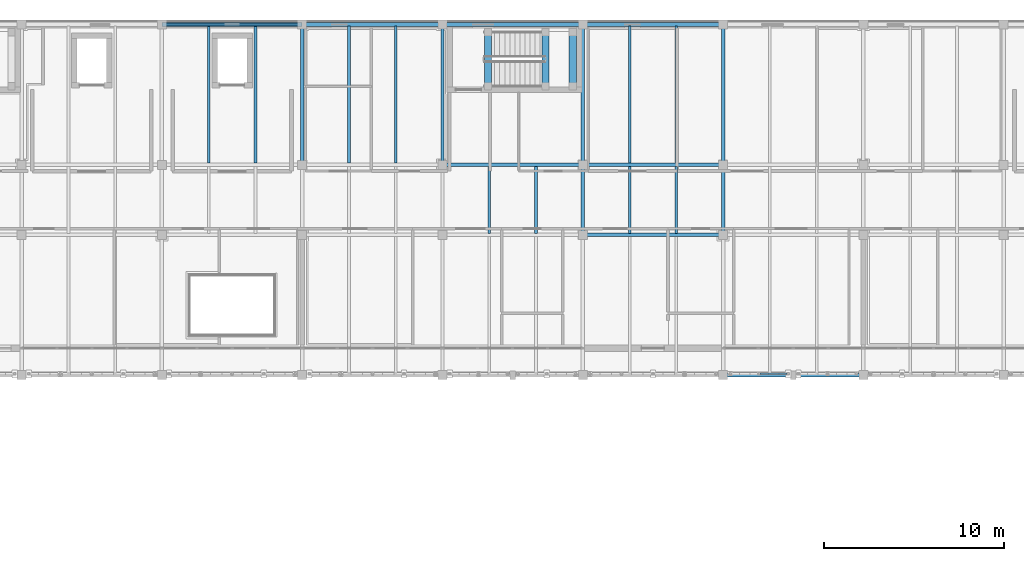
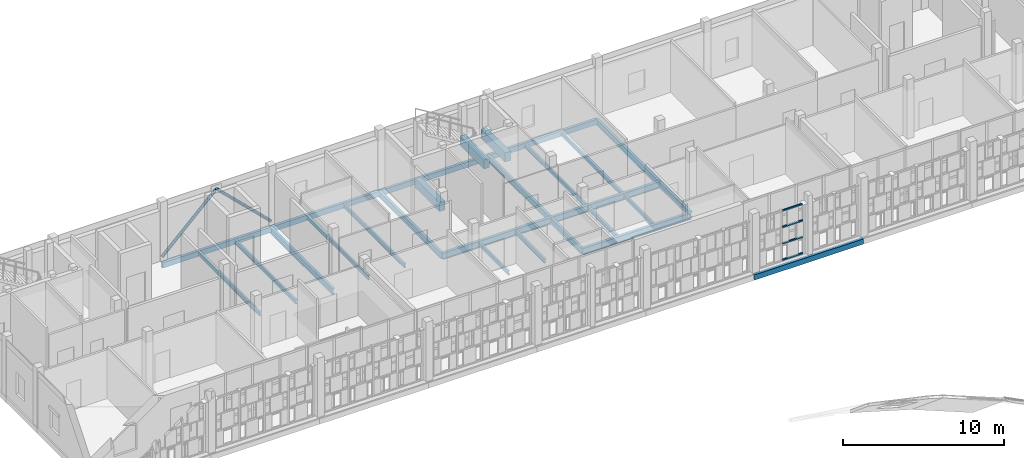
# One storey, part 38 of 89: 27 beams, 6 members.
"""IFC4 building model written with IfcOpenShell, lengths in metres."""

from ifc_helpers import new_model, si_unit, direction, frame, origin, origin_2d, place, context, subcontext, project, spatial, rectangle, hollow_rectangle, hollow_circle, i_section, extrude, material, material_profile, profile_set, type_object, element, save


model = new_model("IFC4")

# Units and contexts
model_context = context("Model", 3, precision=1e-05, world=origin(), true_north=direction((0.0, 1.0)))
body_context = subcontext(model_context, "Body", "Model", "MODEL_VIEW")
ifc_project = project(units=[si_unit("LENGTHUNIT", "METRE"), si_unit("AREAUNIT", "SQUARE_METRE"), si_unit("VOLUMEUNIT", "CUBIC_METRE"), si_unit("PLANEANGLEUNIT", "RADIAN"), si_unit("MASSUNIT", "GRAM", prefix="KILO")], contexts=[model_context])

# Site, building, storey
site_placement = place(None, origin())
site = spatial("IfcSite", under=ifc_project, at=site_placement, CompositionType="ELEMENT")
building_placement = place(site_placement, origin())
building = spatial("IfcBuilding", under=site, at=building_placement, Name="Celorna Specialist Clinic", CompositionType="ELEMENT")
storey_placement = place(building_placement, frame((0.0, 0.0, 14.10009765625)))
storey = spatial("IfcBuildingStorey", under=building, at=storey_placement, Name="L03", CompositionType="ELEMENT", Elevation=14.10009765625)

# Beams
ifc_material_1 = material(Name="Steel S355", Category="steel")
ifc_material_profile_1 = material_profile(ifc_material_1, i_section(OverallWidth=0.199951171875, OverallDepth=0.5, WebThickness=0.01025390625, FlangeThickness=0.01611328125, at=origin_2d()), Name="IPE 500")
ifc_profile_set_1 = profile_set([ifc_material_profile_1], Name="Steel S355")
beam_type_1 = type_object("IfcBeamType", Name="BM-08", PredefinedType="BEAM", material=ifc_profile_set_1)
for number, where, z_axis, x_axis, name in (
    (1, (85.800048828125, 104.300048828125, -0.510009765625), (1.0, 0.0, 0.0), (0.0, 1.0, 0.0), "Primary girder BM-08 #1217"),
    (2, (78.0, 108.199951171875, -0.510009765625), (1.0, 0.0, 0.0), (0.0, 1.0, 0.0), "Primary girder BM-08 #1227"),
    (3, (85.800048828125, 108.199951171875, -0.510009765625), (1.0, 0.0, 0.0), (0.0, 1.0, 0.0), "Primary girder BM-08 #1228"),
):
    element("IfcBeam", number, at=place(storey_placement, frame(where, z_axis=z_axis, x_axis=x_axis)), inside=storey, type_object=beam_type_1, Name=name, PredefinedType="BEAM", context=body_context, shape_type="SweptSolid", body=[
        extrude(i_section(OverallWidth=0.199951171875, OverallDepth=0.5, WebThickness=0.01025390625, FlangeThickness=0.01611328125, at=origin_2d()), origin(), (0.0, 0.0, 1.0), 7.800048828125),
    ])
ifc_material_profile_2 = material_profile(ifc_material_1, i_section(OverallWidth=0.18994140625, OverallDepth=0.449951171875, WebThickness=0.009521484375, FlangeThickness=0.0146484375, at=origin_2d()), Name="IPE 450")
ifc_profile_set_2 = profile_set([ifc_material_profile_2], Name="Steel S355")
beam_type_2 = type_object("IfcBeamType", Name="BM-09", PredefinedType="BEAM", material=ifc_profile_set_2)
for number, where, z_axis, x_axis, name in (
    (4, (70.199951171875, 108.199951171875, -0.485107421875), (0.0, 1.0, 0.0), (-1.0, 0.0, 0.0), "Transverse girder BM-09 #1256"),
    (5, (78.0, 108.199951171875, -0.485107421875), (0.0, 1.0, 0.0), (-1.0, 0.0, 0.0), "Transverse girder BM-09 #1259"),
):
    element("IfcBeam", number, at=place(storey_placement, frame(where, z_axis=z_axis, x_axis=x_axis)), inside=storey, type_object=beam_type_2, Name=name, PredefinedType="BEAM", context=body_context, shape_type="SweptSolid", body=[
        extrude(i_section(OverallWidth=0.18994140625, OverallDepth=0.449951171875, WebThickness=0.009521484375, FlangeThickness=0.0146484375, at=origin_2d()), origin(), (0.0, 0.0, 1.0), 7.800048828125),
    ])
beam_1_placement = place(storey_placement, frame((85.800048828125, 104.300048828125, -0.485107421875), z_axis=(0.0, 1.0, 0.0), x_axis=(-1.0, 0.0, 0.0)))
element("IfcBeam", 6, at=beam_1_placement, inside=storey, type_object=beam_type_2, Name="Transverse girder BM-09 #1261", PredefinedType="BEAM", context=body_context, shape_type="SweptSolid", body=[
    extrude(i_section(OverallWidth=0.18994140625, OverallDepth=0.449951171875, WebThickness=0.009521484375, FlangeThickness=0.0146484375, at=origin_2d()), origin(), (0.0, 0.0, 1.0), 3.89990234375),
])
beam_2_placement = place(storey_placement, frame((85.800048828125, 108.199951171875, -0.485107421875), z_axis=(0.0, 1.0, 0.0), x_axis=(-1.0, 0.0, 0.0)))
element("IfcBeam", 7, at=beam_2_placement, inside=storey, type_object=beam_type_2, Name="Transverse girder BM-09 #1262", PredefinedType="BEAM", context=body_context, shape_type="SweptSolid", body=[
    extrude(i_section(OverallWidth=0.18994140625, OverallDepth=0.449951171875, WebThickness=0.009521484375, FlangeThickness=0.0146484375, at=origin_2d()), origin(), (0.0, 0.0, 1.0), 7.800048828125),
])
beam_3_placement = place(storey_placement, frame((93.60009765625, 104.300048828125, -0.485107421875), z_axis=(0.0, 1.0, 0.0), x_axis=(-1.0, 0.0, 0.0)))
element("IfcBeam", 8, at=beam_3_placement, inside=storey, type_object=beam_type_2, Name="Transverse girder BM-09 #1264", PredefinedType="BEAM", context=body_context, shape_type="SweptSolid", body=[
    extrude(i_section(OverallWidth=0.18994140625, OverallDepth=0.449951171875, WebThickness=0.009521484375, FlangeThickness=0.0146484375, at=origin_2d()), origin(), (0.0, 0.0, 1.0), 3.89990234375),
])
beam_4_placement = place(storey_placement, frame((93.60009765625, 108.199951171875, -0.485107421875), z_axis=(0.0, 1.0, 0.0), x_axis=(-1.0, 0.0, 0.0)))
element("IfcBeam", 9, at=beam_4_placement, inside=storey, type_object=beam_type_2, Name="Transverse girder BM-09 #1265", PredefinedType="BEAM", context=body_context, shape_type="SweptSolid", body=[
    extrude(i_section(OverallWidth=0.18994140625, OverallDepth=0.449951171875, WebThickness=0.009521484375, FlangeThickness=0.0146484375, at=origin_2d()), origin(), (0.0, 0.0, 1.0), 7.800048828125),
])
ifc_material_profile_3 = material_profile(ifc_material_1, i_section(OverallWidth=0.14990234375, OverallDepth=0.300048828125, WebThickness=0.007080078125, FlangeThickness=0.0107421875, at=origin_2d()), Name="IPE 300")
ifc_profile_set_3 = profile_set([ifc_material_profile_3], Name="Steel S355")
beam_type_3 = type_object("IfcBeamType", Name="BM-13", PredefinedType="JOIST", material=ifc_profile_set_3)
for number, where, z_axis, x_axis, name in (
    (10, (65.0, 108.2880859375, -0.41015625), (0.0, 1.0, 0.0), (-1.0, 0.0, 0.0), "Secondary floor joist BM-13 #1293"),
    (11, (67.60009765625, 108.2880859375, -0.41015625), (0.0, 1.0, 0.0), (-1.0, 0.0, 0.0), "Secondary floor joist BM-13 #1294"),
    (12, (72.800048828125, 108.2880859375, -0.41015625), (0.0, 1.0, 0.0), (-1.0, 0.0, 0.0), "Secondary floor joist BM-13 #1299"),
    (13, (75.39990234375, 108.2880859375, -0.41015625), (0.0, 1.0, 0.0), (-1.0, 0.0, 0.0), "Secondary floor joist BM-13 #1300"),
):
    element("IfcBeam", number, at=place(storey_placement, frame(where, z_axis=z_axis, x_axis=x_axis)), inside=storey, type_object=beam_type_3, Name=name, PredefinedType="JOIST", context=body_context, shape_type="SweptSolid", body=[
        extrude(i_section(OverallWidth=0.14990234375, OverallDepth=0.300048828125, WebThickness=0.007080078125, FlangeThickness=0.0107421875, at=origin_2d()), origin(), (0.0, 0.0, 1.0), 7.6240234375),
    ])
for number, where, z_axis, x_axis, name in (
    (14, (80.60009765625, 104.387939453125, -0.41015625), (0.0, 1.0, 0.0), (-1.0, 0.0, 0.0), "Secondary floor joist BM-13 #1303"),
    (15, (83.199951171875, 104.387939453125, -0.41015625), (0.0, 1.0, 0.0), (-1.0, 0.0, 0.0), "Secondary floor joist BM-13 #1304"),
    (16, (88.39990234375, 104.387939453125, -0.41015625), (0.0, 1.0, 0.0), (-1.0, 0.0, 0.0), "Secondary floor joist BM-13 #1307"),
    (17, (91.0, 104.387939453125, -0.41015625), (0.0, 1.0, 0.0), (-1.0, 0.0, 0.0), "Secondary floor joist BM-13 #1308"),
):
    element("IfcBeam", number, at=place(storey_placement, frame(where, z_axis=z_axis, x_axis=x_axis)), inside=storey, type_object=beam_type_3, Name=name, PredefinedType="JOIST", context=body_context, shape_type="SweptSolid", body=[
        extrude(i_section(OverallWidth=0.14990234375, OverallDepth=0.300048828125, WebThickness=0.007080078125, FlangeThickness=0.0107421875, at=origin_2d()), origin(), (0.0, 0.0, 1.0), 3.72412109375),
    ])
for number, where, z_axis, x_axis, name in (
    (18, (88.39990234375, 108.2880859375, -0.41015625), (0.0, 1.0, 0.0), (-1.0, 0.0, 0.0), "Secondary floor joist BM-13 #1309"),
    (19, (91.0, 108.2880859375, -0.41015625), (0.0, 1.0, 0.0), (-1.0, 0.0, 0.0), "Secondary floor joist BM-13 #1310"),
):
    element("IfcBeam", number, at=place(storey_placement, frame(where, z_axis=z_axis, x_axis=x_axis)), inside=storey, type_object=beam_type_3, Name=name, PredefinedType="JOIST", context=body_context, shape_type="SweptSolid", body=[
        extrude(i_section(OverallWidth=0.14990234375, OverallDepth=0.300048828125, WebThickness=0.007080078125, FlangeThickness=0.0107421875, at=origin_2d()), origin(), (0.0, 0.0, 1.0), 7.6240234375),
    ])
ifc_material_profile_4 = material_profile(ifc_material_1, hollow_rectangle(XDim=0.199951171875, YDim=0.39990234375, WallThickness=0.011962890625, at=origin_2d()), Name="RHS 200x400x12")
ifc_profile_set_4 = profile_set([ifc_material_profile_4], Name="Steel S355")
beam_type_4 = type_object("IfcBeamType", Name="BM-15", PredefinedType="SPANDREL", material=ifc_profile_set_4)
beam_5_placement = place(storey_placement, frame((93.60009765625, 96.5, -0.460205078125), z_axis=(1.0, 0.0, 0.0), x_axis=(0.0, 1.0, 0.0)))
element("IfcBeam", 20, at=beam_5_placement, inside=storey, type_object=beam_type_4, Name="Spandrel beam BM-15 #1207", PredefinedType="SPANDREL", context=body_context, shape_type="SweptSolid", body=[
    extrude(hollow_rectangle(XDim=0.199951171875, YDim=0.39990234375, WallThickness=0.011962890625, at=origin_2d()), origin(), (0.0, 0.0, 1.0), 7.7998046875),
])
for number, where, z_axis, x_axis, name in (
    (21, (62.39990234375, 116.0, -0.460205078125), (1.0, 0.0, 0.0), (0.0, 1.0, 0.0), "Spandrel beam BM-15 #1236"),
    (22, (70.199951171875, 116.0, -0.460205078125), (1.0, 0.0, 0.0), (0.0, 1.0, 0.0), "Spandrel beam BM-15 #1237"),
    (23, (78.0, 116.0, -0.460205078125), (1.0, 0.0, 0.0), (0.0, 1.0, 0.0), "Spandrel beam BM-15 #1238"),
    (24, (85.800048828125, 116.0, -0.460205078125), (1.0, 0.0, 0.0), (0.0, 1.0, 0.0), "Spandrel beam BM-15 #1239"),
):
    element("IfcBeam", number, at=place(storey_placement, frame(where, z_axis=z_axis, x_axis=x_axis)), inside=storey, type_object=beam_type_4, Name=name, PredefinedType="SPANDREL", context=body_context, shape_type="SweptSolid", body=[
        extrude(hollow_rectangle(XDim=0.199951171875, YDim=0.39990234375, WallThickness=0.011962890625, at=origin_2d()), origin(), (0.0, 0.0, 1.0), 7.800048828125),
    ])
ifc_material_2 = material(Name="Concrete C35/45", Category="concrete")
ifc_material_profile_5 = material_profile(ifc_material_2, rectangle(XDim=0.39990234375, YDim=0.699951171875, at=origin_2d()), Name="RC 400x700")
ifc_profile_set_5 = profile_set([ifc_material_profile_5], Name="Concrete C35/45")
beam_type_5 = type_object("IfcBeamType", Name="BM-19", PredefinedType="BEAM", material=ifc_profile_set_5)
for number, where, z_axis, x_axis, name in (
    (25, (80.52001953125, 112.570068359375, -0.275146484375), (0.0, 1.0, 0.0), (-1.0, 0.0, 0.0), "Stair ST-02 floor landing trimmer beam L03"),
    (26, (83.719970703125, 112.570068359375, 1.824951171875), (0.0, 1.0, 0.0), (-1.0, 0.0, 0.0), "Stair ST-02 half-landing beam L03"),
    (27, (85.239990234375, 112.570068359375, 1.824951171875), (0.0, 1.0, 0.0), (-1.0, 0.0, 0.0), "Stair ST-02 half-landing beam L03"),
):
    element("IfcBeam", number, at=place(storey_placement, frame(where, z_axis=z_axis, x_axis=x_axis)), inside=storey, type_object=beam_type_5, Name=name, PredefinedType="BEAM", context=body_context, shape_type="SweptSolid", body=[
        extrude(rectangle(XDim=0.39990234375, YDim=0.699951171875, at=origin_2d()), origin(), (0.0, 0.0, 1.0), 3.0),
    ])

# Members
ifc_material_profile_6 = material_profile(ifc_material_1, hollow_circle(Radius=0.109619140625, WallThickness=0.012451171875, at=origin_2d()), Name="CHS 219.1x12.5")
ifc_profile_set_6 = profile_set([ifc_material_profile_6], Name="Steel S355")
member_type_1 = type_object("IfcMemberType", Name="MB-07", PredefinedType="BRACE", material=ifc_profile_set_6)
member_1_placement = place(storey_placement, frame((62.39990234375, 116.0, 0.14990234375), z_axis=(0.716238207287, 0.0, 0.69785588084), x_axis=(0.0, 1.0, 0.0)))
element("IfcMember", 28, at=member_1_placement, inside=storey, type_object=member_type_1, Name="Lateral chevron brace WP-122-WP-123", PredefinedType="BRACE", context=body_context, shape_type="SweptSolid", body=[
    extrude(hollow_circle(Radius=0.109619140625, WallThickness=0.012451171875, at=origin_2d()), origin(), (0.0, 0.0, 1.0), 5.4453125),
])
member_2_placement = place(storey_placement, frame((70.199951171875, 116.0, 0.14990234375), z_axis=(-0.716216371491, 0.0, 0.697878291114), x_axis=(0.0, -1.0, 0.0)))
element("IfcMember", 29, at=member_2_placement, inside=storey, type_object=member_type_1, Name="Lateral chevron brace WP-124-WP-123", PredefinedType="BRACE", context=body_context, shape_type="SweptSolid", body=[
    extrude(hollow_circle(Radius=0.109619140625, WallThickness=0.012451171875, at=origin_2d()), origin(), (0.0, 0.0, 1.0), 5.445068359375),
])
ifc_material_profile_7 = material_profile(ifc_material_1, hollow_rectangle(XDim=0.10009765625, YDim=0.10009765625, WallThickness=0.006103515625, at=origin_2d()), Name="SHS 100x100x6")
ifc_profile_set_7 = profile_set([ifc_material_profile_7], Name="Steel S355")
member_type_2 = type_object("IfcMemberType", Name="MB-12", PredefinedType="STUD", material=ifc_profile_set_7)
for number, where, z_axis, x_axis, name in (
    (30, (95.659912109375, 96.580078125, 0.0498046875), (1.0, 0.0, 0.0), (0.0, 1.0, 0.0), "Perforated screen rail #1365"),
    (31, (95.659912109375, 96.580078125, 1.296630859375), (1.0, 0.0, 0.0), (0.0, 1.0, 0.0), "Perforated screen rail #1366"),
    (32, (95.659912109375, 96.580078125, 2.543212890625), (1.0, 0.0, 0.0), (0.0, 1.0, 0.0), "Perforated screen rail #1367"),
    (33, (95.659912109375, 96.580078125, 3.789794921875), (1.0, 0.0, 0.0), (0.0, 1.0, 0.0), "Perforated screen rail #1368"),
):
    element("IfcMember", number, at=place(storey_placement, frame(where, z_axis=z_axis, x_axis=x_axis)), inside=storey, type_object=member_type_2, Name=name, PredefinedType="STUD", context=body_context, shape_type="SweptSolid", body=[
        extrude(hollow_rectangle(XDim=0.10009765625, YDim=0.10009765625, WallThickness=0.006103515625, at=origin_2d()), origin(), (0.0, 0.0, 1.0), 1.489990234375),
    ])

save(model, "model.ifc")
